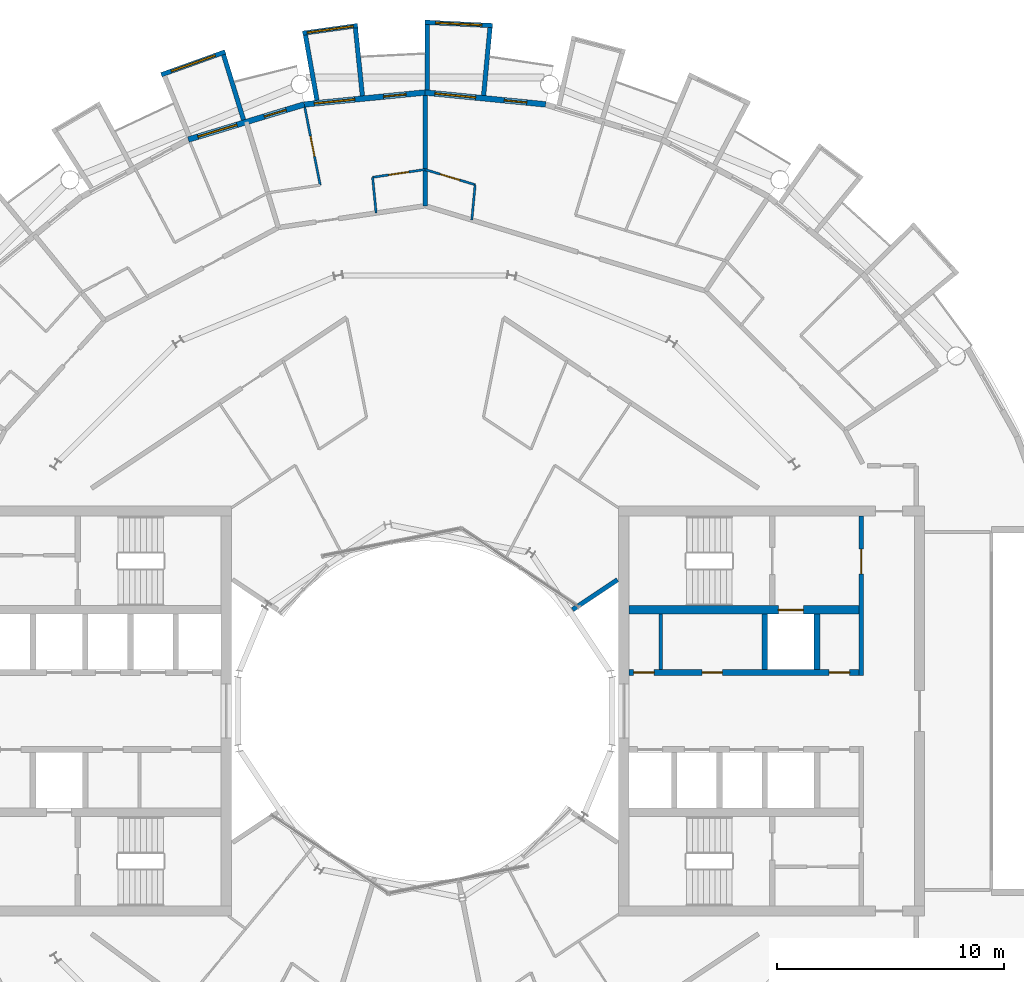
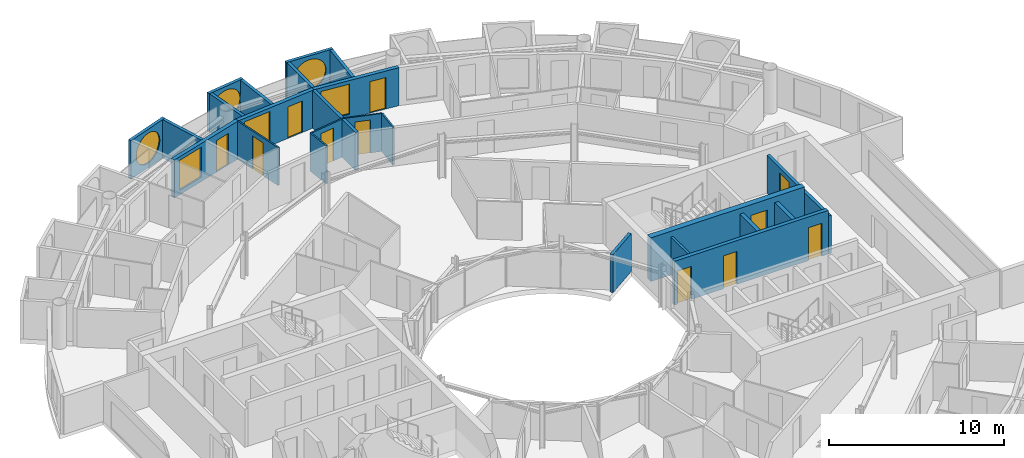
# One storey, part 22 of 28: 24 walls, 11 doors, 6 windows, 17 openings.
"""IFC4 building model written with IfcOpenShell, lengths in metres."""

from ifc_helpers import new_model, si_unit, direction, frame, frame_2d, origin, place, context, subcontext, project, spatial, rectangle, circle, extrude, material, layer, layer_set, type_object, element, fill, save


model = new_model("IFC4")

# Units and contexts
model_context = context("Model", 3, precision=1e-05, world=origin(), true_north=direction((0.0, 1.0)))
body_context = subcontext(model_context, "Body", "Model", "MODEL_VIEW")
ifc_project = project(units=[si_unit("LENGTHUNIT", "METRE"), si_unit("AREAUNIT", "SQUARE_METRE"), si_unit("VOLUMEUNIT", "CUBIC_METRE"), si_unit("PLANEANGLEUNIT", "RADIAN"), si_unit("MASSUNIT", "GRAM", prefix="KILO")], contexts=[model_context])

# Site, building, storey
site_placement = place(None, origin())
site = spatial("IfcSite", under=ifc_project, at=site_placement, CompositionType="ELEMENT")
building_placement = place(site_placement, origin())
building = spatial("IfcBuilding", under=site, at=building_placement, Name="Maasbend Ring Residences", CompositionType="ELEMENT")
storey_placement = place(building_placement, frame((0.0, 0.0, 218.800048828125)))
storey = spatial("IfcBuildingStorey", under=building, at=storey_placement, Name="L63", CompositionType="ELEMENT", Elevation=218.800048828125)

# Wall, openings, doors
ifc_material_1 = material(Name="Concrete C50/60", Category="concrete")
ifc_layer_1 = layer(ifc_material_1, 0.25)
ifc_layer_set_1 = layer_set([ifc_layer_1], Name="Concrete C50/60")
wall_type_1 = type_object("IfcWallType", Name="CORE WALL 250 C50/60", PredefinedType="SHEAR", material=ifc_layer_set_1)
wall_1_placement = place(storey_placement, frame((9.0, 1.699951171875, 0.0), z_axis=(0.0, 0.0, 1.0), x_axis=(1.0, 0.0, 0.0)))
wall_1 = element("IfcWall", 1, at=wall_1_placement, inside=storey, type_object=wall_type_1, Name="L63 core E wall SPN", PredefinedType="SHEAR", context=body_context, shape_type="SweptSolid", body=[
    extrude(rectangle(XDim=10.14990234375, YDim=0.25, at=frame_2d((5.074951171875, 0.0))), origin(), (0.0, 0.0, 1.0), 3.050048828125),
])
opening_1_placement = place(wall_1_placement, frame((0.21240234375, 0.0, 0.0)))
opening_1 = element("IfcOpeningElement", 2, at=opening_1_placement, cuts=wall_1, Name="Opening D-E6306", PredefinedType="OPENING", context=body_context, shape_type="SweptSolid", body=[
    extrude(rectangle(XDim=0.89990234375, YDim=2.300048828125, at=frame_2d((0.449951171875, 1.14990234375))), frame((0.0, 0.135009765625, 0.0), z_axis=(0.0, -1.0, 0.0), x_axis=(1.0, 0.0, 0.0)), (0.0, 0.0, 1.0), 0.27001953125),
])
opening_2_placement = place(wall_1_placement, frame((3.22509765625, 0.0, 0.0)))
opening_2 = element("IfcOpeningElement", 3, at=opening_2_placement, cuts=wall_1, Name="Opening D-E6307", PredefinedType="OPENING", context=body_context, shape_type="SweptSolid", body=[
    extrude(rectangle(XDim=0.89990234375, YDim=2.300048828125, at=frame_2d((0.449951171875, 1.14990234375))), frame((0.0, 0.135009765625, 0.0), z_axis=(0.0, -1.0, 0.0), x_axis=(1.0, 0.0, 0.0)), (0.0, 0.0, 1.0), 0.27001953125),
])
opening_3_placement = place(wall_1_placement, frame((8.83740234375, 0.0, 0.0)))
opening_3 = element("IfcOpeningElement", 4, at=opening_3_placement, cuts=wall_1, Name="Opening D-E6308", PredefinedType="OPENING", context=body_context, shape_type="SweptSolid", body=[
    extrude(rectangle(XDim=0.89990234375, YDim=2.300048828125, at=frame_2d((0.449951171875, 1.14990234375))), frame((0.0, 0.135009765625, 0.0), z_axis=(0.0, -1.0, 0.0), x_axis=(1.0, 0.0, 0.0)), (0.0, 0.0, 1.0), 0.27001953125),
])
ifc_material_2 = material(Name="Steel, powder coated", Category="steel")
door_type_1 = type_object("IfcDoorType", Name="ROOM DOOR 900 X 2300 FD30S", OperationType="NOTDEFINED", PredefinedType="DOOR", material=ifc_material_2)
door_1_placement = place(opening_1_placement, origin())
door_1 = element("IfcDoor", 5, at=door_1_placement, inside=storey, type_object=door_type_1, Name="Room door L63", OperationType="SINGLE_SWING_RIGHT", OverallHeight=2.300048828125, OverallWidth=0.89990234375, PredefinedType="DOOR", context=body_context, shape_type="SweptSolid", body=[
    extrude(rectangle(XDim=0.89990234375, YDim=2.300048828125, at=frame_2d((0.449951171875, 1.14990234375))), frame((0.0, 0.02490234375, 0.0), z_axis=(0.0, -1.0, 0.0), x_axis=(1.0, 0.0, 0.0)), (0.0, 0.0, 1.0), 0.050048828125),
])
fill(opening_1, door_1)
door_2_placement = place(opening_2_placement, origin())
door_2 = element("IfcDoor", 6, at=door_2_placement, inside=storey, type_object=door_type_1, Name="Room door L63", OperationType="SINGLE_SWING_RIGHT", OverallHeight=2.300048828125, OverallWidth=0.89990234375, PredefinedType="DOOR", context=body_context, shape_type="SweptSolid", body=[
    extrude(rectangle(XDim=0.89990234375, YDim=2.300048828125, at=frame_2d((0.449951171875, 1.14990234375))), frame((0.0, 0.02490234375, 0.0), z_axis=(0.0, -1.0, 0.0), x_axis=(1.0, 0.0, 0.0)), (0.0, 0.0, 1.0), 0.050048828125),
])
fill(opening_2, door_2)
door_3_placement = place(opening_3_placement, origin())
door_3 = element("IfcDoor", 7, at=door_3_placement, inside=storey, type_object=door_type_1, Name="Room door L63", OperationType="SINGLE_SWING_LEFT", OverallHeight=2.300048828125, OverallWidth=0.89990234375, PredefinedType="DOOR", context=body_context, shape_type="SweptSolid", body=[
    extrude(rectangle(XDim=0.89990234375, YDim=2.300048828125, at=frame_2d((0.449951171875, 1.14990234375))), frame((0.0, 0.02490234375, 0.0), z_axis=(0.0, -1.0, 0.0), x_axis=(1.0, 0.0, 0.0)), (0.0, 0.0, 1.0), 0.050048828125),
])
fill(opening_3, door_3)

# Wall, opening, door
ifc_material_3 = material(Name="Concrete C50/60", Category="concrete")
ifc_layer_2 = layer(ifc_material_3, 0.375)
ifc_layer_set_2 = layer_set([ifc_layer_2], Name="Concrete C50/60")
wall_type_2 = type_object("IfcWallType", Name="CORE WALL 375 C50/60", PredefinedType="SHEAR", material=ifc_layer_set_2)
wall_2_placement = place(storey_placement, frame((9.0, 4.46240234375, 0.0), z_axis=(0.0, 0.0, 1.0), x_axis=(1.0, 0.0, 0.0)))
wall_2 = element("IfcWall", 8, at=wall_2_placement, inside=storey, type_object=wall_type_2, Name="L63 core E wall BN", PredefinedType="SHEAR", context=body_context, shape_type="SweptSolid", body=[
    extrude(rectangle(XDim=10.14990234375, YDim=0.375, at=frame_2d((5.074951171875, 0.0))), origin(), (0.0, 0.0, 1.0), 3.050048828125),
])
opening_4_placement = place(wall_2_placement, frame((6.60009765625, 0.0, 0.0)))
opening_4 = element("IfcOpeningElement", 9, at=opening_4_placement, cuts=wall_2, Name="Opening LD-E6301", PredefinedType="OPENING", context=body_context, shape_type="SweptSolid", body=[
    extrude(rectangle(XDim=1.10009765625, YDim=2.300048828125, at=frame_2d((0.550048828125, 1.14990234375))), frame((0.0, 0.197509765625, 0.0), z_axis=(0.0, -1.0, 0.0), x_axis=(1.0, 0.0, 0.0)), (0.0, 0.0, 1.0), 0.39501953125),
])
ifc_material_4 = material(Name="Stainless steel 316", Category="steel")
door_type_2 = type_object("IfcDoorType", Name="LANDING DOOR 1100 X 2300 FD60", OperationType="DOUBLE_DOOR_SLIDING", PredefinedType="DOOR", material=ifc_material_4)
door_4_placement = place(opening_4_placement, origin())
door_4 = element("IfcDoor", 10, at=door_4_placement, inside=storey, type_object=door_type_2, Name="Landing door FF-E L63", OperationType="DOUBLE_DOOR_SLIDING", OverallHeight=2.300048828125, OverallWidth=1.10009765625, PredefinedType="DOOR", context=body_context, shape_type="SweptSolid", body=[
    extrude(rectangle(XDim=1.10009765625, YDim=2.300048828125, at=frame_2d((0.550048828125, 1.14990234375))), frame((0.0, 0.02490234375, 0.0), z_axis=(0.0, -1.0, 0.0), x_axis=(1.0, 0.0, 0.0)), (0.0, 0.0, 1.0), 0.050048828125),
])
fill(opening_4, door_4)

# Wall, opening, window
ifc_material_5 = material(Name="Pale anodised aluminium panel", Category="aluminium")
ifc_layer_3 = layer(ifc_material_5, 0.199951171875)
ifc_layer_set_3 = layer_set([ifc_layer_3], Name="EW-BOX")
wall_type_3 = type_object("IfcWallType", Name="EW-BOX", PredefinedType="SOLIDWALL", material=ifc_layer_set_3)
wall_3_placement = place(storey_placement, frame((2.985107421875, 30.2529296875, -0.030029296875), z_axis=(0.0, 0.0, 1.0), x_axis=(-0.998794083011, 0.049095618353, 0.0)))
wall_3 = element("IfcWall", 11, at=wall_3_placement, inside=storey, type_object=wall_type_3, Name="Box front N10", PredefinedType="SOLIDWALL", context=body_context, shape_type="SweptSolid", body=[
    extrude(rectangle(XDim=2.99365234375, YDim=0.199951171875, at=frame_2d((1.496826171875, 0.0))), origin(), (0.0, 0.0, 1.0), 2.679931640625),
])
opening_5_placement = place(wall_3_placement, frame((0.45654296875, 0.0, 0.330078125)))
opening_5 = element("IfcOpeningElement", 12, at=opening_5_placement, cuts=wall_3, Name="Opening W-RD", PredefinedType="OPENING", context=body_context, shape_type="SweptSolid", body=[
    extrude(circle(Radius=1.0400390625, at=frame_2d((1.0400390625, 1.0400390625))), frame((0.0, 0.10986328125, 0.0), z_axis=(0.0, -1.0, 0.0), x_axis=(1.0, 0.0, 0.0)), (0.0, 0.0, 1.0), 0.219970703125),
])
ifc_material_6 = material(Name="Aluminium and clear glass", Category="aluminium")
window_type_1 = type_object("IfcWindowType", Name="W-RD", PartitioningType="SINGLE_PANEL", PredefinedType="WINDOW", material=ifc_material_6)
window_1_placement = place(opening_5_placement, origin())
window_1 = element("IfcWindow", 13, at=window_1_placement, inside=storey, type_object=window_type_1, Name="Round window N10", OverallHeight=2.080078125, OverallWidth=2.080078125, PartitioningType="SINGLE_PANEL", PredefinedType="WINDOW", context=body_context, shape_type="SweptSolid", body=[
    extrude(circle(Radius=1.0400390625, at=frame_2d((1.0400390625, 1.0400390625))), frame((0.0, 0.030029296875, 0.0), z_axis=(0.0, -1.0, 0.0), x_axis=(1.0, 0.0, 0.0)), (0.0, 0.0, 1.0), 0.06005859375),
])
fill(opening_5, window_1)

# Walls
wall_4_placement = place(storey_placement, frame((2.5859375, 27.1708984375, -0.030029296875), z_axis=(0.0, 0.0, 1.0), x_axis=(0.094548432284, 0.995520262954, 0.0)))
element("IfcWall", 14, at=wall_4_placement, inside=storey, type_object=wall_type_3, Name="Box side wall N10 left", PredefinedType="SOLIDWALL", context=body_context, shape_type="SweptSolid", body=[
    extrude(rectangle(XDim=3.005615234375, YDim=0.199951171875, at=frame_2d((1.5029296875, 0.0))), origin(), (0.0, 0.0, 1.0), 2.679931640625),
])
wall_5_placement = place(storey_placement, frame((0.090087890625, 27.4169921875, -0.030029296875), z_axis=(0.0, 0.0, 1.0), x_axis=(0.00347308367, 0.999993968827, 0.0)))
element("IfcWall", 15, at=wall_5_placement, inside=storey, type_object=wall_type_3, Name="Box side wall N10 right", PredefinedType="SOLIDWALL", context=body_context, shape_type="SweptSolid", body=[
    extrude(rectangle(XDim=2.882080078125, YDim=0.199951171875, at=frame_2d((1.44091796875, 0.0))), origin(), (0.0, 0.0, 1.0), 2.679931640625),
])

# Wall, opening, window
wall_6_placement = place(storey_placement, frame((-2.97607421875, 30.25390625, -0.030029296875), z_axis=(0.0, 0.0, 1.0), x_axis=(-0.990462016113, -0.137786046596, 0.0)))
wall_6 = element("IfcWall", 16, at=wall_6_placement, inside=storey, type_object=wall_type_3, Name="Box front N12", PredefinedType="SOLIDWALL", context=body_context, shape_type="SweptSolid", body=[
    extrude(rectangle(XDim=2.4453125, YDim=0.199951171875, at=frame_2d((1.22265625, 0.0))), origin(), (0.0, 0.0, 1.0), 2.679931640625),
])
opening_6_placement = place(wall_6_placement, frame((0.182861328125, 0.0, 0.330078125)))
opening_6 = element("IfcOpeningElement", 17, at=opening_6_placement, cuts=wall_6, Name="Opening W-RD", PredefinedType="OPENING", context=body_context, shape_type="SweptSolid", body=[
    extrude(circle(Radius=1.0400390625, at=frame_2d((1.0400390625, 1.0400390625))), frame((0.0, 0.10986328125, 0.0), z_axis=(0.0, -1.0, 0.0), x_axis=(1.0, 0.0, 0.0)), (0.0, 0.0, 1.0), 0.219970703125),
])
window_2_placement = place(opening_6_placement, origin())
window_2 = element("IfcWindow", 18, at=window_2_placement, inside=storey, type_object=window_type_1, Name="Round window N12", OverallHeight=2.080078125, OverallWidth=2.080078125, PartitioningType="SINGLE_PANEL", PredefinedType="WINDOW", context=body_context, shape_type="SweptSolid", body=[
    extrude(circle(Radius=1.0400390625, at=frame_2d((1.0400390625, 1.0400390625))), frame((0.0, 0.030029296875, 0.0), z_axis=(0.0, -1.0, 0.0), x_axis=(1.0, 0.0, 0.0)), (0.0, 0.0, 1.0), 0.06005859375),
])
fill(opening_6, window_2)

# Walls
wall_7_placement = place(storey_placement, frame((-2.763916015625, 27.153076171875, -0.030029296875), z_axis=(0.0, 0.0, 1.0), x_axis=(-0.101505487237, 0.994834979311, 0.0)))
element("IfcWall", 19, at=wall_7_placement, inside=storey, type_object=wall_type_3, Name="Box side wall N12 left", PredefinedType="SOLIDWALL", context=body_context, shape_type="SweptSolid", body=[
    extrude(rectangle(XDim=3.006591796875, YDim=0.199951171875, at=frame_2d((1.50341796875, 0.0))), origin(), (0.0, 0.0, 1.0), 2.679931640625),
])
wall_8_placement = place(storey_placement, frame((-4.76904296875, 26.9560546875, -0.030029296875), z_axis=(0.0, 0.0, 1.0), x_axis=(-0.174056778901, 0.984735618183, 0.0)))
element("IfcWall", 20, at=wall_8_placement, inside=storey, type_object=wall_type_3, Name="Box side wall N12 right", PredefinedType="SOLIDWALL", context=body_context, shape_type="SweptSolid", body=[
    extrude(rectangle(XDim=2.924560546875, YDim=0.199951171875, at=frame_2d((1.46240234375, 0.0))), origin(), (0.0, 0.0, 1.0), 2.679931640625),
])

# Wall, opening, window
wall_9_placement = place(storey_placement, frame((-8.820068359375, 29.093017578125, -0.030029296875), z_axis=(0.0, 0.0, 1.0), x_axis=(-0.941461077774, -0.337121697664, 0.0)))
wall_9 = element("IfcWall", 21, at=wall_9_placement, inside=storey, type_object=wall_type_3, Name="Box front N14", PredefinedType="SOLIDWALL", context=body_context, shape_type="SweptSolid", body=[
    extrude(rectangle(XDim=2.9931640625, YDim=0.199951171875, at=frame_2d((1.49658203125, 0.0))), origin(), (0.0, 0.0, 1.0), 2.679931640625),
])
opening_7_placement = place(wall_9_placement, frame((0.45654296875, 0.0, 0.330078125)))
opening_7 = element("IfcOpeningElement", 22, at=opening_7_placement, cuts=wall_9, Name="Opening W-RD", PredefinedType="OPENING", context=body_context, shape_type="SweptSolid", body=[
    extrude(circle(Radius=1.0400390625, at=frame_2d((1.0400390625, 1.0400390625))), frame((0.0, 0.10986328125, 0.0), z_axis=(0.0, -1.0, 0.0), x_axis=(1.0, 0.0, 0.0)), (0.0, 0.0, 1.0), 0.219970703125),
])
window_3_placement = place(opening_7_placement, origin())
window_3 = element("IfcWindow", 23, at=window_3_placement, inside=storey, type_object=window_type_1, Name="Round window N14", OverallHeight=2.080078125, OverallWidth=2.080078125, PartitioningType="SINGLE_PANEL", PredefinedType="WINDOW", context=body_context, shape_type="SweptSolid", body=[
    extrude(circle(Radius=1.0400390625, at=frame_2d((1.0400390625, 1.0400390625))), frame((0.0, 0.030029296875, 0.0), z_axis=(0.0, -1.0, 0.0), x_axis=(1.0, 0.0, 0.0)), (0.0, 0.0, 1.0), 0.06005859375),
])
fill(opening_7, window_3)

# Wall
wall_10_placement = place(storey_placement, frame((-8.009033203125, 26.092041015625, -0.030029296875), z_axis=(0.0, 0.0, 1.0), x_axis=(-0.293406695073, 0.955987715029, 0.0)))
element("IfcWall", 24, at=wall_10_placement, inside=storey, type_object=wall_type_3, Name="Box side wall N14 left", PredefinedType="SOLIDWALL", context=body_context, shape_type="SweptSolid", body=[
    extrude(rectangle(XDim=3.00634765625, YDim=0.199951171875, at=frame_2d((1.503173828125, 0.0))), origin(), (0.0, 0.0, 1.0), 2.679931640625),
])

# Wall, openings, door, window
ifc_material_7 = material(Name="Aluminium clad insulated panel", Category="aluminium")
ifc_layer_4 = layer(ifc_material_7, 0.25)
ifc_layer_set_4 = layer_set([ifc_layer_4], Name="EW-GL")
wall_type_4 = type_object("IfcWallType", Name="EW-GL", PredefinedType="SOLIDWALL", material=ifc_layer_set_4)
wall_11_placement = place(storey_placement, frame((5.325927734375, 26.77490234375, 0.0), z_axis=(0.0, 0.0, 1.0), x_axis=(-0.995173996315, 0.098126026407, 0.0)))
wall_11 = element("IfcWall", 25, at=wall_11_placement, inside=storey, type_object=wall_type_4, Name="External wall N05", PredefinedType="SOLIDWALL", context=body_context, shape_type="SweptSolid", body=[
    extrude(rectangle(XDim=5.351806640625, YDim=0.25, at=frame_2d((2.67578125, 0.0))), origin(), (0.0, 0.0, 1.0), 2.64990234375),
])
opening_8_placement = place(wall_11_placement, frame((0.841064453125, 0.0, 0.0)))
opening_8 = element("IfcOpeningElement", 26, at=opening_8_placement, cuts=wall_11, Name="Opening D-LG", PredefinedType="OPENING", context=body_context, shape_type="SweptSolid", body=[
    extrude(rectangle(XDim=1.0, YDim=2.199951171875, at=frame_2d((0.5, 1.10009765625))), frame((0.0, 0.135009765625, 0.0), z_axis=(0.0, -1.0, 0.0), x_axis=(1.0, 0.0, 0.0)), (0.0, 0.0, 1.0), 0.27001953125),
])
opening_9_placement = place(wall_11_placement, frame((3.110595703125, 0.0, 0.300048828125)))
opening_9 = element("IfcOpeningElement", 27, at=opening_9_placement, cuts=wall_11, Name="Opening W-BX", PredefinedType="OPENING", context=body_context, shape_type="SweptSolid", body=[
    extrude(rectangle(XDim=1.800048828125, YDim=2.10009765625, at=frame_2d((0.89990234375, 1.050048828125))), frame((0.0, 0.135009765625, 0.0), z_axis=(0.0, -1.0, 0.0), x_axis=(1.0, 0.0, 0.0)), (0.0, 0.0, 1.0), 0.27001953125),
])
ifc_material_8 = material(Name="Aluminium and clear glass", Category="aluminium")
door_type_3 = type_object("IfcDoorType", Name="D-LG", OperationType="SINGLE_SWING_LEFT", PredefinedType="DOOR", material=ifc_material_8)
door_5_placement = place(opening_8_placement, origin())
door_5 = element("IfcDoor", 28, at=door_5_placement, inside=storey, type_object=door_type_3, Name="Loggia door N09", OperationType="SINGLE_SWING_LEFT", OverallHeight=2.199951171875, OverallWidth=1.0, PredefinedType="DOOR", context=body_context, shape_type="SweptSolid", body=[
    extrude(rectangle(XDim=1.0, YDim=2.199951171875, at=frame_2d((0.5, 1.10009765625))), frame((0.0, 0.02490234375, 0.0), z_axis=(0.0, -1.0, 0.0), x_axis=(1.0, 0.0, 0.0)), (0.0, 0.0, 1.0), 0.050048828125),
])
fill(opening_8, door_5)
ifc_material_9 = material(Name="Aluminium and clear glass", Category="aluminium")
window_type_2 = type_object("IfcWindowType", Name="W-BX", PartitioningType="DOUBLE_PANEL_VERTICAL", PredefinedType="WINDOW", material=ifc_material_9)
window_4_placement = place(opening_9_placement, origin())
window_4 = element("IfcWindow", 29, at=window_4_placement, inside=storey, type_object=window_type_2, Name="Window N10 room to box", OverallHeight=2.10009765625, OverallWidth=1.800048828125, PartitioningType="SINGLE_PANEL", PredefinedType="WINDOW", context=body_context, shape_type="SweptSolid", body=[
    extrude(rectangle(XDim=1.800048828125, YDim=2.10009765625, at=frame_2d((0.89990234375, 1.050048828125))), frame((0.0, 0.030029296875, 0.0), z_axis=(0.0, -1.0, 0.0), x_axis=(1.0, 0.0, 0.0)), (0.0, 0.0, 1.0), 0.06005859375),
])
fill(opening_9, window_4)

wall_12_placement = place(storey_placement, frame((0.0, 27.300048828125, 0.0), z_axis=(0.0, 0.0, 1.0), x_axis=(-0.995173996315, -0.098126026407, 0.0)))
wall_12 = element("IfcWall", 30, at=wall_12_placement, inside=storey, type_object=wall_type_4, Name="External wall N06", PredefinedType="SOLIDWALL", context=body_context, shape_type="SweptSolid", body=[
    extrude(rectangle(XDim=5.351806640625, YDim=0.25, at=frame_2d((2.67578125, 0.0))), origin(), (0.0, 0.0, 1.0), 2.64990234375),
])
opening_10_placement = place(wall_12_placement, frame((0.841064453125, 0.0, 0.0)))
opening_10 = element("IfcOpeningElement", 31, at=opening_10_placement, cuts=wall_12, Name="Opening D-LG", PredefinedType="OPENING", context=body_context, shape_type="SweptSolid", body=[
    extrude(rectangle(XDim=1.0, YDim=2.199951171875, at=frame_2d((0.5, 1.10009765625))), frame((0.0, 0.135009765625, 0.0), z_axis=(0.0, -1.0, 0.0), x_axis=(1.0, 0.0, 0.0)), (0.0, 0.0, 1.0), 0.27001953125),
])
opening_11_placement = place(wall_12_placement, frame((3.110595703125, 0.0, 0.300048828125)))
opening_11 = element("IfcOpeningElement", 32, at=opening_11_placement, cuts=wall_12, Name="Opening W-BX", PredefinedType="OPENING", context=body_context, shape_type="SweptSolid", body=[
    extrude(rectangle(XDim=1.800048828125, YDim=2.10009765625, at=frame_2d((0.89990234375, 1.050048828125))), frame((0.0, 0.135009765625, 0.0), z_axis=(0.0, -1.0, 0.0), x_axis=(1.0, 0.0, 0.0)), (0.0, 0.0, 1.0), 0.27001953125),
])
door_6_placement = place(opening_10_placement, origin())
door_6 = element("IfcDoor", 33, at=door_6_placement, inside=storey, type_object=door_type_3, Name="Loggia door N11", OperationType="SINGLE_SWING_LEFT", OverallHeight=2.199951171875, OverallWidth=1.0, PredefinedType="DOOR", context=body_context, shape_type="SweptSolid", body=[
    extrude(rectangle(XDim=1.0, YDim=2.199951171875, at=frame_2d((0.5, 1.10009765625))), frame((0.0, 0.02490234375, 0.0), z_axis=(0.0, -1.0, 0.0), x_axis=(1.0, 0.0, 0.0)), (0.0, 0.0, 1.0), 0.050048828125),
])
fill(opening_10, door_6)
window_5_placement = place(opening_11_placement, origin())
window_5 = element("IfcWindow", 34, at=window_5_placement, inside=storey, type_object=window_type_2, Name="Window N12 room to box", OverallHeight=2.10009765625, OverallWidth=1.800048828125, PartitioningType="SINGLE_PANEL", PredefinedType="WINDOW", context=body_context, shape_type="SweptSolid", body=[
    extrude(rectangle(XDim=1.800048828125, YDim=2.10009765625, at=frame_2d((0.89990234375, 1.050048828125))), frame((0.0, 0.030029296875, 0.0), z_axis=(0.0, -1.0, 0.0), x_axis=(1.0, 0.0, 0.0)), (0.0, 0.0, 1.0), 0.06005859375),
])
fill(opening_11, window_5)

wall_13_placement = place(storey_placement, frame((-5.325927734375, 26.77490234375, 0.0), z_axis=(0.0, 0.0, 1.0), x_axis=(-0.956965678721, -0.290201119486, 0.0)))
wall_13 = element("IfcWall", 35, at=wall_13_placement, inside=storey, type_object=wall_type_4, Name="External wall N07", PredefinedType="SOLIDWALL", context=body_context, shape_type="SweptSolid", body=[
    extrude(rectangle(XDim=5.351318359375, YDim=0.25, at=frame_2d((2.67578125, 0.0))), origin(), (0.0, 0.0, 1.0), 2.64990234375),
])
opening_12_placement = place(wall_13_placement, frame((0.841064453125, 0.0, 0.0)))
opening_12 = element("IfcOpeningElement", 36, at=opening_12_placement, cuts=wall_13, Name="Opening D-LG", PredefinedType="OPENING", context=body_context, shape_type="SweptSolid", body=[
    extrude(rectangle(XDim=1.0, YDim=2.199951171875, at=frame_2d((0.5, 1.10009765625))), frame((0.0, 0.135009765625, 0.0), z_axis=(0.0, -1.0, 0.0), x_axis=(1.0, 0.0, 0.0)), (0.0, 0.0, 1.0), 0.27001953125),
])
opening_13_placement = place(wall_13_placement, frame((3.110595703125, 0.0, 0.300048828125)))
opening_13 = element("IfcOpeningElement", 37, at=opening_13_placement, cuts=wall_13, Name="Opening W-BX", PredefinedType="OPENING", context=body_context, shape_type="SweptSolid", body=[
    extrude(rectangle(XDim=1.800048828125, YDim=2.10009765625, at=frame_2d((0.89990234375, 1.050048828125))), frame((0.0, 0.135009765625, 0.0), z_axis=(0.0, -1.0, 0.0), x_axis=(1.0, 0.0, 0.0)), (0.0, 0.0, 1.0), 0.27001953125),
])
door_7_placement = place(opening_12_placement, origin())
door_7 = element("IfcDoor", 38, at=door_7_placement, inside=storey, type_object=door_type_3, Name="Loggia door N13", OperationType="SINGLE_SWING_LEFT", OverallHeight=2.199951171875, OverallWidth=1.0, PredefinedType="DOOR", context=body_context, shape_type="SweptSolid", body=[
    extrude(rectangle(XDim=1.0, YDim=2.199951171875, at=frame_2d((0.5, 1.10009765625))), frame((0.0, 0.02490234375, 0.0), z_axis=(0.0, -1.0, 0.0), x_axis=(1.0, 0.0, 0.0)), (0.0, 0.0, 1.0), 0.050048828125),
])
fill(opening_12, door_7)
window_6_placement = place(opening_13_placement, origin())
window_6 = element("IfcWindow", 39, at=window_6_placement, inside=storey, type_object=window_type_2, Name="Window N14 room to box", OverallHeight=2.10009765625, OverallWidth=1.800048828125, PartitioningType="SINGLE_PANEL", PredefinedType="WINDOW", context=body_context, shape_type="SweptSolid", body=[
    extrude(rectangle(XDim=1.800048828125, YDim=2.10009765625, at=frame_2d((0.89990234375, 1.050048828125))), frame((0.0, 0.030029296875, 0.0), z_axis=(0.0, -1.0, 0.0), x_axis=(1.0, 0.0, 0.0)), (0.0, 0.0, 1.0), 0.06005859375),
])
fill(opening_13, window_6)

# Wall, opening, door
ifc_material_10 = material(Name="Gypsum board on steel studs", Category="steel")
ifc_layer_5 = layer(ifc_material_10, 0.10009765625)
ifc_layer_set_5 = layer_set([ifc_layer_5], Name="PARTITION 100 GYPSUM")
wall_type_5 = type_object("IfcWallType", Name="PARTITION 100 GYPSUM", PredefinedType="PARTITIONING", material=ifc_layer_set_5)
wall_14_placement = place(storey_placement, frame((-5.31005859375, 26.65087890625, 0.0), z_axis=(0.0, 0.0, 1.0), x_axis=(0.195486409601, -0.980706410533, 0.0)))
wall_14 = element("IfcWall", 40, at=wall_14_placement, inside=storey, type_object=wall_type_5, Name="U-L63-w054", PredefinedType="PARTITIONING", context=body_context, shape_type="SweptSolid", body=[
    extrude(rectangle(XDim=3.50439453125, YDim=0.10009765625, at=frame_2d((1.752197265625, 0.0))), origin(), (0.0, 0.0, 1.0), 2.64990234375),
])
opening_14_placement = place(wall_14_placement, frame((1.302001953125, 0.0, 0.0)))
opening_14 = element("IfcOpeningElement", 41, at=opening_14_placement, cuts=wall_14, Name="Opening D-6312", PredefinedType="OPENING", context=body_context, shape_type="SweptSolid", body=[
    extrude(rectangle(XDim=0.89990234375, YDim=2.300048828125, at=frame_2d((0.449951171875, 1.14990234375))), frame((0.0, 0.06005859375, 0.0), z_axis=(0.0, -1.0, 0.0), x_axis=(1.0, 0.0, 0.0)), (0.0, 0.0, 1.0), 0.1201171875),
])
ifc_material_11 = material(Name="Timber, painted", Category="wood")
door_type_4 = type_object("IfcDoorType", Name="INTERNAL DOOR 900 X 2300", OperationType="NOTDEFINED", PredefinedType="DOOR", material=ifc_material_11)
door_8_placement = place(opening_14_placement, origin())
door_8 = element("IfcDoor", 42, at=door_8_placement, inside=storey, type_object=door_type_4, Name="D-6312", OperationType="SINGLE_SWING_RIGHT", OverallHeight=2.300048828125, OverallWidth=0.89990234375, PredefinedType="DOOR", context=body_context, shape_type="SweptSolid", body=[
    extrude(rectangle(XDim=0.89990234375, YDim=2.300048828125, at=frame_2d((0.449951171875, 1.14990234375))), frame((0.0, 0.02490234375, 0.0), z_axis=(0.0, -1.0, 0.0), x_axis=(1.0, 0.0, 0.0)), (0.0, 0.0, 1.0), 0.050048828125),
])
fill(opening_14, door_8)

# Walls
wall_15_placement = place(storey_placement, frame((-2.31298828125, 23.556884765625, 0.0), z_axis=(0.0, 0.0, 1.0), x_axis=(0.097840737576, -0.995202085041, 0.0)))
element("IfcWall", 43, at=wall_15_placement, inside=storey, type_object=wall_type_5, Name="U-L63-w056", PredefinedType="PARTITIONING", context=body_context, shape_type="SweptSolid", body=[
    extrude(rectangle(XDim=1.58447265625, YDim=0.10009765625, at=frame_2d((0.792236328125, 0.0))), origin(), (0.0, 0.0, 1.0), 2.64990234375),
])
wall_16_placement = place(storey_placement, frame((2.06494140625, 21.674072265625, 0.0), z_axis=(0.0, 0.0, 1.0), x_axis=(0.094720578196, 0.995503898569, 0.0)))
element("IfcWall", 44, at=wall_16_placement, inside=storey, type_object=wall_type_5, Name="U-L63-w063", PredefinedType="PARTITIONING", context=body_context, shape_type="SweptSolid", body=[
    extrude(rectangle(XDim=1.56201171875, YDim=0.10009765625, at=frame_2d((0.781005859375, 0.0))), origin(), (0.0, 0.0, 1.0), 2.64990234375),
])

# Wall, opening, door
wall_17_placement = place(storey_placement, frame((0.0029296875, 23.89892578125, 0.0), z_axis=(0.0, 0.0, 1.0), x_axis=(0.956994210955, -0.29010701508, 0.0)))
wall_17 = element("IfcWall", 45, at=wall_17_placement, inside=storey, type_object=wall_type_5, Name="U-L63-w108", PredefinedType="PARTITIONING", context=body_context, shape_type="SweptSolid", body=[
    extrude(rectangle(XDim=2.3125, YDim=0.10009765625, at=frame_2d((1.15625, 0.0))), origin(), (0.0, 0.0, 1.0), 2.64990234375),
])
opening_15_placement = place(wall_17_placement, frame((0.702880859375, 0.0, 0.0)))
opening_15 = element("IfcOpeningElement", 46, at=opening_15_placement, cuts=wall_17, Name="Opening D-6306", PredefinedType="OPENING", context=body_context, shape_type="SweptSolid", body=[
    extrude(rectangle(XDim=0.89990234375, YDim=2.300048828125, at=frame_2d((0.449951171875, 1.14990234375))), frame((0.0, 0.06005859375, 0.0), z_axis=(0.0, -1.0, 0.0), x_axis=(1.0, 0.0, 0.0)), (0.0, 0.0, 1.0), 0.1201171875),
])
door_9_placement = place(opening_15_placement, origin())
door_9 = element("IfcDoor", 47, at=door_9_placement, inside=storey, type_object=door_type_4, Name="D-6306", OperationType="SINGLE_SWING_LEFT", OverallHeight=2.300048828125, OverallWidth=0.89990234375, PredefinedType="DOOR", context=body_context, shape_type="SweptSolid", body=[
    extrude(rectangle(XDim=0.89990234375, YDim=2.300048828125, at=frame_2d((0.449951171875, 1.14990234375))), frame((0.0, 0.02490234375, 0.0), z_axis=(0.0, -1.0, 0.0), x_axis=(1.0, 0.0, 0.0)), (0.0, 0.0, 1.0), 0.050048828125),
])
fill(opening_15, door_9)

wall_18_placement = place(storey_placement, frame((-2.31298828125, 23.556884765625, 0.0), z_axis=(0.0, 0.0, 1.0), x_axis=(0.989181588285, 0.146696235121, 0.0)))
wall_18 = element("IfcWall", 48, at=wall_18_placement, inside=storey, type_object=wall_type_5, Name="U-L63-w117", PredefinedType="PARTITIONING", context=body_context, shape_type="SweptSolid", body=[
    extrude(rectangle(XDim=2.33837890625, YDim=0.10009765625, at=frame_2d((1.169189453125, 0.0))), origin(), (0.0, 0.0, 1.0), 2.64990234375),
])
opening_16_placement = place(wall_18_placement, frame((0.718994140625, 0.0, 0.0)))
opening_16 = element("IfcOpeningElement", 49, at=opening_16_placement, cuts=wall_18, Name="Opening D-6311", PredefinedType="OPENING", context=body_context, shape_type="SweptSolid", body=[
    extrude(rectangle(XDim=0.89990234375, YDim=2.300048828125, at=frame_2d((0.449951171875, 1.14990234375))), frame((0.0, 0.06005859375, 0.0), z_axis=(0.0, -1.0, 0.0), x_axis=(1.0, 0.0, 0.0)), (0.0, 0.0, 1.0), 0.1201171875),
])
door_10_placement = place(opening_16_placement, origin())
door_10 = element("IfcDoor", 50, at=door_10_placement, inside=storey, type_object=door_type_4, Name="D-6311", OperationType="SINGLE_SWING_LEFT", OverallHeight=2.300048828125, OverallWidth=0.89990234375, PredefinedType="DOOR", context=body_context, shape_type="SweptSolid", body=[
    extrude(rectangle(XDim=0.89990234375, YDim=2.300048828125, at=frame_2d((0.449951171875, 1.14990234375))), frame((0.0, 0.02490234375, 0.0), z_axis=(0.0, -1.0, 0.0), x_axis=(1.0, 0.0, 0.0)), (0.0, 0.0, 1.0), 0.050048828125),
])
fill(opening_16, door_10)

# Walls
ifc_material_12 = material(Name="Gypsum board on steel studs", Category="steel")
ifc_layer_6 = layer(ifc_material_12, 0.14990234375)
ifc_layer_set_6 = layer_set([ifc_layer_6], Name="PARTITION 150 EI 60")
wall_type_6 = type_object("IfcWallType", Name="PARTITION 150 EI 60", PredefinedType="PARTITIONING", material=ifc_layer_set_6)
wall_19_placement = place(storey_placement, frame((10.39990234375, 1.824951171875, 0.0), z_axis=(0.0, 0.0, 1.0), x_axis=(0.0, 1.0, 0.0)))
element("IfcWall", 51, at=wall_19_placement, inside=storey, type_object=wall_type_6, Name="L63 core E wall PRN1040", PredefinedType="PARTITIONING", context=body_context, shape_type="SweptSolid", body=[
    extrude(rectangle(XDim=2.449951171875, YDim=0.14990234375, at=frame_2d((1.22509765625, 0.0))), origin(), (0.0, 0.0, 1.0), 2.64990234375),
])
ifc_material_13 = material(Name="Concrete C30/37", Category="concrete")
ifc_layer_7 = layer(ifc_material_13, 0.199951171875)
ifc_layer_set_7 = layer_set([ifc_layer_7], Name="Concrete C30/37")
wall_type_7 = type_object("IfcWallType", Name="PARTY WALL 200 CONCRETE", PredefinedType="PARTITIONING", material=ifc_layer_set_7)
wall_20_placement = place(storey_placement, frame((0.0, 22.300048828125, 0.0), z_axis=(0.0, 0.0, 1.0), x_axis=(0.0, 1.0, 0.0)))
element("IfcWall", 52, at=wall_20_placement, inside=storey, type_object=wall_type_7, Name="U-L63-w059", PredefinedType="PARTITIONING", context=body_context, shape_type="SweptSolid", body=[
    extrude(rectangle(XDim=4.875, YDim=0.199951171875, at=frame_2d((2.4375, 0.0))), origin(), (0.0, 0.0, 1.0), 2.64990234375),
])
wall_21_placement = place(storey_placement, frame((6.512939453125, 4.471923828125, 0.0), z_axis=(0.0, 0.0, 1.0), x_axis=(0.831403409976, 0.555669299026, 0.0)))
element("IfcWall", 53, at=wall_21_placement, inside=storey, type_object=wall_type_7, Name="U-L63-w090", PredefinedType="PARTITIONING", context=body_context, shape_type="SweptSolid", body=[
    extrude(rectangle(XDim=2.382568359375, YDim=0.199951171875, at=frame_2d((1.19140625, 0.0))), origin(), (0.0, 0.0, 1.0), 2.64990234375),
])

# Wall, opening, door
ifc_material_14 = material(Name="Concrete C30/37", Category="concrete")
ifc_layer_8 = layer(ifc_material_14, 0.199951171875)
ifc_layer_set_8 = layer_set([ifc_layer_8], Name="Concrete C30/37")
wall_type_8 = type_object("IfcWallType", Name="SHAFT WALL 200 EI 120", PredefinedType="SOLIDWALL", material=ifc_layer_set_8)
wall_22_placement = place(storey_placement, frame((19.25, 1.574951171875, 0.0), z_axis=(0.0, 0.0, 1.0), x_axis=(0.0, 1.0, 0.0)))
wall_22 = element("IfcWall", 54, at=wall_22_placement, inside=storey, type_object=wall_type_8, Name="L63 core E wall ENDN", PredefinedType="SOLIDWALL", context=body_context, shape_type="SweptSolid", body=[
    extrude(rectangle(XDim=7.025146484375, YDim=0.199951171875, at=frame_2d((3.5126953125, 0.0))), origin(), (0.0, 0.0, 1.0), 2.64990234375),
])
opening_17_placement = place(wall_22_placement, frame((4.47509765625, 0.0, 0.0)))
opening_17 = element("IfcOpeningElement", 55, at=opening_17_placement, cuts=wall_22, Name="Opening D-E6313", PredefinedType="OPENING", context=body_context, shape_type="SweptSolid", body=[
    extrude(rectangle(XDim=1.10009765625, YDim=2.300048828125, at=frame_2d((0.550048828125, 1.14990234375))), frame((0.0, 0.10986328125, 0.0), z_axis=(0.0, -1.0, 0.0), x_axis=(1.0, 0.0, 0.0)), (0.0, 0.0, 1.0), 0.219970703125),
])
ifc_material_15 = material(Name="Steel, powder coated", Category="steel")
door_type_5 = type_object("IfcDoorType", Name="LOBBY DOOR 1100 X 2300 FD60", OperationType="NOTDEFINED", PredefinedType="DOOR", material=ifc_material_15)
door_11_placement = place(opening_17_placement, origin())
door_11 = element("IfcDoor", 56, at=door_11_placement, inside=storey, type_object=door_type_5, Name="Lobby door L63", OperationType="SINGLE_SWING_LEFT", OverallHeight=2.300048828125, OverallWidth=1.10009765625, PredefinedType="DOOR", context=body_context, shape_type="SweptSolid", body=[
    extrude(rectangle(XDim=1.10009765625, YDim=2.300048828125, at=frame_2d((0.550048828125, 1.14990234375))), frame((0.0, 0.02490234375, 0.0), z_axis=(0.0, -1.0, 0.0), x_axis=(1.0, 0.0, 0.0)), (0.0, 0.0, 1.0), 0.050048828125),
])
fill(opening_17, door_11)

# Walls
ifc_material_16 = material(Name="Concrete C30/37", Category="concrete")
ifc_layer_9 = layer(ifc_material_16, 0.25)
ifc_layer_set_9 = layer_set([ifc_layer_9], Name="Concrete C30/37")
wall_type_9 = type_object("IfcWallType", Name="SHAFT WALL 250 EI 120", PredefinedType="SOLIDWALL", material=ifc_layer_set_9)
for number, where, z_axis, x_axis, name in (
    (57, (15.0, 1.824951171875, 0.0), (0.0, 0.0, 1.0), (0.0, 1.0, 0.0), "L63 core E wall D150N"),
    (58, (17.300048828125, 1.824951171875, 0.0), (0.0, 0.0, 1.0), (0.0, 1.0, 0.0), "L63 core E wall D173N"),
):
    element("IfcWall", number, at=place(storey_placement, frame(where, z_axis=z_axis, x_axis=x_axis)), inside=storey, type_object=wall_type_9, Name=name, PredefinedType="SOLIDWALL", context=body_context, shape_type="SweptSolid", body=[
        extrude(rectangle(XDim=2.449951171875, YDim=0.25, at=frame_2d((1.22509765625, 0.0))), origin(), (0.0, 0.0, 1.0), 2.64990234375),
    ])

save(model, "model.ifc")
